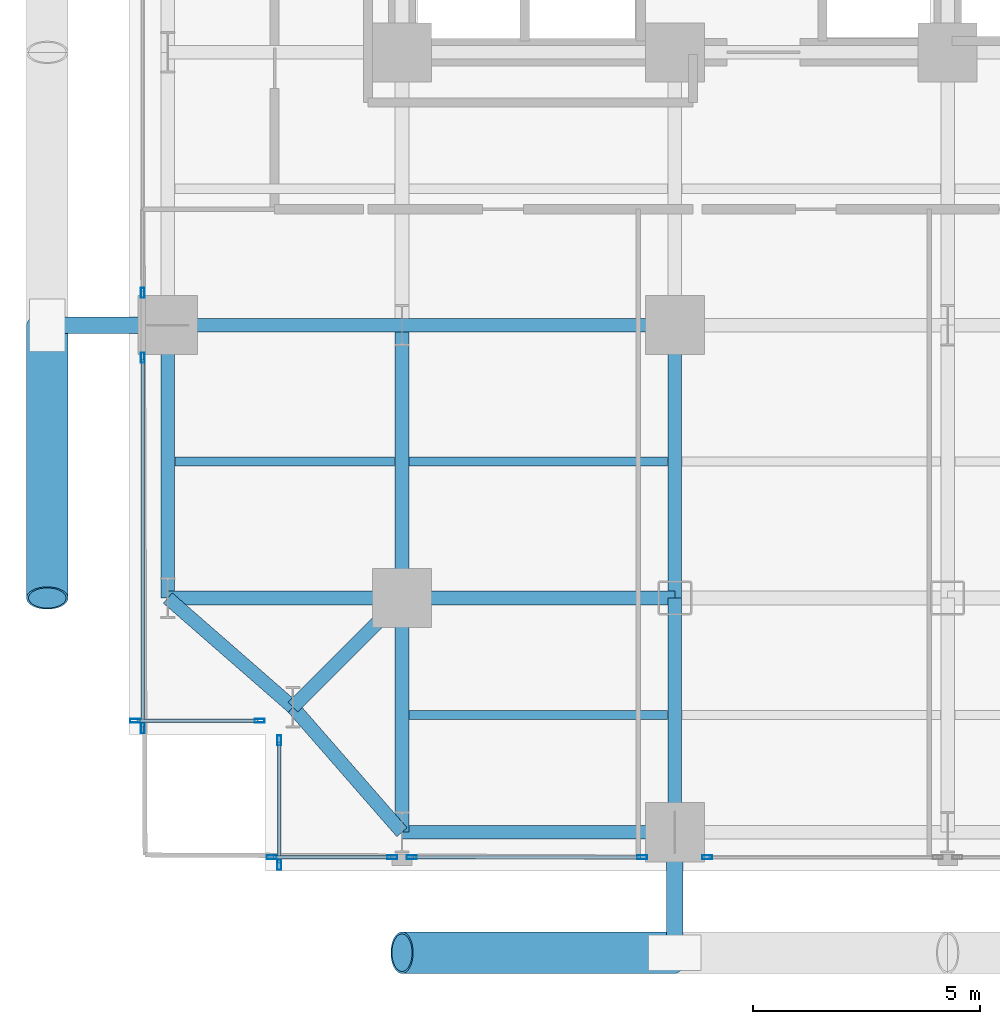
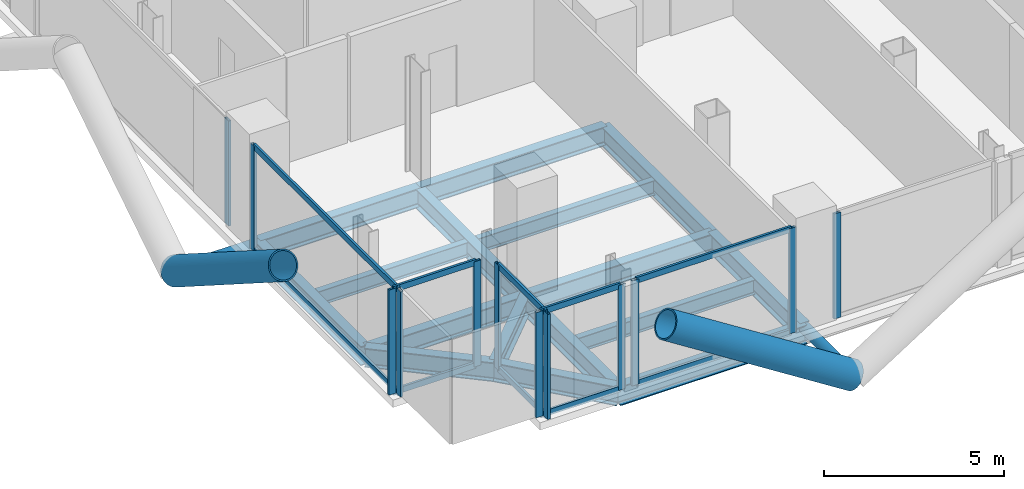
# One storey, part 2 of 27: 26 members, 16 beams, 7 elements without a shape of their own.
"""IFC4 building model written with IfcOpenShell, lengths in metres."""

from ifc_helpers import new_model, si_unit, direction, frame, origin, origin_2d, place, context, subcontext, project, spatial, hollow_rectangle, hollow_circle, i_section, extrude, material, layer, layer_set, material_profile, profile_set, type_object, element, aggregate, save


model = new_model("IFC4")

# Units and contexts
model_context = context("Model", 3, precision=1e-05, world=origin(), true_north=direction((0.0, 1.0)))
body_context = subcontext(model_context, "Body", "Model", "MODEL_VIEW")
ifc_project = project(units=[si_unit("LENGTHUNIT", "METRE"), si_unit("AREAUNIT", "SQUARE_METRE"), si_unit("VOLUMEUNIT", "CUBIC_METRE"), si_unit("PLANEANGLEUNIT", "RADIAN"), si_unit("MASSUNIT", "GRAM", prefix="KILO"), si_unit("THERMODYNAMICTEMPERATUREUNIT", "KELVIN"), si_unit("POWERUNIT", "WATT")], contexts=[model_context])

# Site, building, storey
site_placement = place(None, origin())
site = spatial("IfcSite", under=ifc_project, at=site_placement, CompositionType="ELEMENT")
building_placement = place(site_placement, origin())
building = spatial("IfcBuilding", under=site, at=building_placement, Name="Svarakhadi Broadcast Tower", CompositionType="ELEMENT")
storey_placement = place(building_placement, frame((0.0, 0.0, 90.89990234375)))
storey = spatial("IfcBuildingStorey", under=building, at=storey_placement, Name="L21", CompositionType="ELEMENT", Elevation=90.89990234375)

# Beams
ifc_material_1 = material(Name="Steel S355J2 (IS 2062 E350C)", Category="steel")
ifc_material_profile_1 = material_profile(ifc_material_1, i_section(OverallWidth=0.199951171875, OverallDepth=0.5, WebThickness=0.01025390625, FlangeThickness=0.01611328125, FilletRadius=0.02099609375, at=origin_2d()), Name="NPB 500x200x91")
ifc_profile_set_1 = profile_set([ifc_material_profile_1], Name="Steel S355J2 (IS 2062 E350C)")
beam_type_1 = type_object("IfcBeamType", Name="Beam_NPB500", PredefinedType="BEAM", material=ifc_profile_set_1)
beam_1_placement = place(storey_placement, frame((1.010009765625, 9.0, -0.5), z_axis=(1.0, 0.0, 0.0), x_axis=(0.0, 1.0, 0.0)))
element("IfcBeam", 1, at=beam_1_placement, inside=storey, type_object=beam_type_1, Name="L21 Secondary Composite Beam SB001", PredefinedType="BEAM", context=body_context, shape_type="SweptSolid", body=[
    extrude(i_section(OverallWidth=0.199951171875, OverallDepth=0.5, WebThickness=0.01025390625, FlangeThickness=0.01611328125, FilletRadius=0.02099609375, at=origin_2d()), origin(), (0.0, 0.0, 1.0), 4.830078125),
])
for number, where, z_axis, x_axis, name in (
    (2, (6.159912109375, 3.425048828125, -0.5), (1.0, 0.0, 0.0), (0.0, 1.0, 0.0), "L21 Secondary Composite Beam SB007"),
    (3, (6.159912109375, 9.0, -0.5), (1.0, 0.0, 0.0), (0.0, 1.0, 0.0), "L21 Secondary Composite Beam SB008"),
):
    element("IfcBeam", number, at=place(storey_placement, frame(where, z_axis=z_axis, x_axis=x_axis)), inside=storey, type_object=beam_type_1, Name=name, PredefinedType="BEAM", context=body_context, shape_type="SweptSolid", body=[
        extrude(i_section(OverallWidth=0.199951171875, OverallDepth=0.5, WebThickness=0.01025390625, FlangeThickness=0.01611328125, FilletRadius=0.02099609375, at=origin_2d()), origin(), (0.0, 0.0, 1.0), 5.68017578125),
    ])

# Curtain wall, members
ifc_material_2 = material(Name="Anodised Bronze Aluminium AA 6063-T6", Category="aluminium")
ifc_layer = layer(ifc_material_2, 0.219970703125)
ifc_layer_set = layer_set([ifc_layer], Name="Anodised Bronze Aluminium AA 6063-T6")
curtain_wall_type = type_object("IfcCurtainWallType", Name="CW_Sys_02", PredefinedType="NOTDEFINED", material=ifc_layer_set)
curtain_wall_1_placement = place(storey_placement, origin())
curtain_wall_1 = element("IfcCurtainWall", 4, at=curtain_wall_1_placement, inside=storey, type_object=curtain_wall_type, Name="L21 Unitised Facade Curtain Wall 01", PredefinedType="NOTDEFINED")
ifc_material_profile_2 = material_profile(ifc_material_2, hollow_rectangle(XDim=0.0849609375, YDim=0.219970703125, WallThickness=0.006103515625, at=origin_2d()), Name="ALU MULLION 220x85x6")
ifc_profile_set_2 = profile_set([ifc_material_profile_2], Name="Anodised Bronze Aluminium AA 6063-T6")
member_type_1 = type_object("IfcMemberType", Name="CW_Sys_02_Mul", PredefinedType="MULLION", material=ifc_profile_set_2)
member_1_placement = place(storey_placement, frame((2.867431640625, 3.300048828125, 0.0), z_axis=(0.0, 0.0, 1.0), x_axis=(0.0, -1.0, 0.0)))
member_1 = element("IfcMember", 5, at=member_1_placement, type_object=member_type_1, Name="CW-02 mullion 1", PredefinedType="MULLION", context=body_context, shape_type="SweptSolid", body=[
    extrude(hollow_rectangle(XDim=0.0849609375, YDim=0.219970703125, WallThickness=0.006103515625, at=origin_2d()), origin(), (0.0, 0.0, 1.0), 3.5751953125),
])
member_2_placement = place(storey_placement, frame((0.132568359375, 3.300048828125, 0.0), z_axis=(0.0, 0.0, 1.0), x_axis=(0.0, -1.0, 0.0)))
member_2 = element("IfcMember", 6, at=member_2_placement, type_object=member_type_1, Name="CW-02 mullion 2", PredefinedType="MULLION", context=body_context, shape_type="SweptSolid", body=[
    extrude(hollow_rectangle(XDim=0.0849609375, YDim=0.219970703125, WallThickness=0.006103515625, at=origin_2d()), origin(), (0.0, 0.0, 1.0), 3.5751953125),
])

curtain_wall_2_placement = place(storey_placement, origin())
curtain_wall_2 = element("IfcCurtainWall", 7, at=curtain_wall_2_placement, inside=storey, type_object=curtain_wall_type, Name="L21 West Curtain Wall 02 Bay 1", PredefinedType="NOTDEFINED")
member_3_placement = place(storey_placement, frame((0.300048828125, 3.132568359375, 0.0), z_axis=(0.0, 0.0, 1.0), x_axis=(-1.0, 0.0, 0.0)))
member_3 = element("IfcMember", 8, at=member_3_placement, type_object=member_type_1, Name="CW-02 mullion 1", PredefinedType="MULLION", context=body_context, shape_type="SweptSolid", body=[
    extrude(hollow_rectangle(XDim=0.0849609375, YDim=0.219970703125, WallThickness=0.006103515625, at=origin_2d()), origin(), (0.0, 0.0, 1.0), 3.5751953125),
])
member_4_placement = place(storey_placement, frame((0.300048828125, 11.28759765625, 0.0), z_axis=(0.0, 0.0, 1.0), x_axis=(-1.0, 0.0, 0.0)))
member_4 = element("IfcMember", 9, at=member_4_placement, type_object=member_type_1, Name="CW-02 mullion 2", PredefinedType="MULLION", context=body_context, shape_type="SweptSolid", body=[
    extrude(hollow_rectangle(XDim=0.0849609375, YDim=0.219970703125, WallThickness=0.006103515625, at=origin_2d()), origin(), (0.0, 0.0, 1.0), 3.5751953125),
])

# Curtain wall, member
curtain_wall_3_placement = place(storey_placement, origin())
curtain_wall_3 = element("IfcCurtainWall", 10, at=curtain_wall_3_placement, inside=storey, type_object=curtain_wall_type, Name="L21 West Curtain Wall 02 Bay 2", PredefinedType="NOTDEFINED")
member_5_placement = place(storey_placement, frame((0.300048828125, 12.71240234375, 0.0), z_axis=(0.0, 0.0, 1.0), x_axis=(-1.0, 0.0, 0.0)))
member_5 = element("IfcMember", 11, at=member_5_placement, type_object=member_type_1, Name="CW-02 mullion 1", PredefinedType="MULLION", context=body_context, shape_type="SweptSolid", body=[
    extrude(hollow_rectangle(XDim=0.0849609375, YDim=0.219970703125, WallThickness=0.006103515625, at=origin_2d()), origin(), (0.0, 0.0, 1.0), 3.5751953125),
])
aggregate(curtain_wall_3, [member_5])

curtain_wall_4_placement = place(storey_placement, origin())
curtain_wall_4 = element("IfcCurtainWall", 12, at=curtain_wall_4_placement, inside=storey, type_object=curtain_wall_type, Name="L21 South Curtain Wall 17 Bay 5", PredefinedType="NOTDEFINED")
member_6_placement = place(storey_placement, frame((12.71240234375, 0.300048828125, 0.0), z_axis=(0.0, 0.0, 1.0), x_axis=(0.0, -1.0, 0.0)))
member_6 = element("IfcMember", 13, at=member_6_placement, type_object=member_type_1, Name="CW-02 mullion 2", PredefinedType="MULLION", context=body_context, shape_type="SweptSolid", body=[
    extrude(hollow_rectangle(XDim=0.0849609375, YDim=0.219970703125, WallThickness=0.006103515625, at=origin_2d()), origin(), (0.0, 0.0, 1.0), 3.5751953125),
])
aggregate(curtain_wall_4, [member_6])

# Curtain wall, members
curtain_wall_5_placement = place(storey_placement, origin())
curtain_wall_5 = element("IfcCurtainWall", 14, at=curtain_wall_5_placement, inside=storey, type_object=curtain_wall_type, Name="L21 South Curtain Wall 17 Bay 6", PredefinedType="NOTDEFINED")
member_7_placement = place(storey_placement, frame((11.28759765625, 0.300048828125, 0.0), z_axis=(0.0, 0.0, 1.0), x_axis=(0.0, -1.0, 0.0)))
member_7 = element("IfcMember", 15, at=member_7_placement, type_object=member_type_1, Name="CW-02 mullion 1", PredefinedType="MULLION", context=body_context, shape_type="SweptSolid", body=[
    extrude(hollow_rectangle(XDim=0.0849609375, YDim=0.219970703125, WallThickness=0.006103515625, at=origin_2d()), origin(), (0.0, 0.0, 1.0), 3.5751953125),
])
member_8_placement = place(storey_placement, frame((6.21240234375, 0.300048828125, 0.0), z_axis=(0.0, 0.0, 1.0), x_axis=(0.0, -1.0, 0.0)))
member_8 = element("IfcMember", 16, at=member_8_placement, type_object=member_type_1, Name="CW-02 mullion 2", PredefinedType="MULLION", context=body_context, shape_type="SweptSolid", body=[
    extrude(hollow_rectangle(XDim=0.0849609375, YDim=0.219970703125, WallThickness=0.006103515625, at=origin_2d()), origin(), (0.0, 0.0, 1.0), 3.5751953125),
])

curtain_wall_6_placement = place(storey_placement, origin())
curtain_wall_6 = element("IfcCurtainWall", 17, at=curtain_wall_6_placement, inside=storey, type_object=curtain_wall_type, Name="L21 South Curtain Wall 17 Bay 7", PredefinedType="NOTDEFINED")
member_9_placement = place(storey_placement, frame((5.78759765625, 0.300048828125, 0.0), z_axis=(0.0, 0.0, 1.0), x_axis=(0.0, -1.0, 0.0)))
member_9 = element("IfcMember", 18, at=member_9_placement, type_object=member_type_1, Name="CW-02 mullion 1", PredefinedType="MULLION", context=body_context, shape_type="SweptSolid", body=[
    extrude(hollow_rectangle(XDim=0.0849609375, YDim=0.219970703125, WallThickness=0.006103515625, at=origin_2d()), origin(), (0.0, 0.0, 1.0), 3.5751953125),
])
member_10_placement = place(storey_placement, frame((3.132568359375, 0.300048828125, 0.0), z_axis=(0.0, 0.0, 1.0), x_axis=(0.0, -1.0, 0.0)))
member_10 = element("IfcMember", 19, at=member_10_placement, type_object=member_type_1, Name="CW-02 mullion 2", PredefinedType="MULLION", context=body_context, shape_type="SweptSolid", body=[
    extrude(hollow_rectangle(XDim=0.0849609375, YDim=0.219970703125, WallThickness=0.006103515625, at=origin_2d()), origin(), (0.0, 0.0, 1.0), 3.5751953125),
])

curtain_wall_7_placement = place(storey_placement, origin())
curtain_wall_7 = element("IfcCurtainWall", 20, at=curtain_wall_7_placement, inside=storey, type_object=curtain_wall_type, Name="L21 Unitised Facade Curtain Wall 18", PredefinedType="NOTDEFINED")
member_11_placement = place(storey_placement, frame((3.300048828125, 0.132568359375, 0.0), z_axis=(0.0, 0.0, 1.0), x_axis=(-1.0, 0.0, 0.0)))
member_11 = element("IfcMember", 21, at=member_11_placement, type_object=member_type_1, Name="CW-02 mullion 1", PredefinedType="MULLION", context=body_context, shape_type="SweptSolid", body=[
    extrude(hollow_rectangle(XDim=0.0849609375, YDim=0.219970703125, WallThickness=0.006103515625, at=origin_2d()), origin(), (0.0, 0.0, 1.0), 3.5751953125),
])
member_12_placement = place(storey_placement, frame((3.300048828125, 2.867431640625, 0.0), z_axis=(0.0, 0.0, 1.0), x_axis=(-1.0, 0.0, 0.0)))
member_12 = element("IfcMember", 22, at=member_12_placement, type_object=member_type_1, Name="CW-02 mullion 2", PredefinedType="MULLION", context=body_context, shape_type="SweptSolid", body=[
    extrude(hollow_rectangle(XDim=0.0849609375, YDim=0.219970703125, WallThickness=0.006103515625, at=origin_2d()), origin(), (0.0, 0.0, 1.0), 3.5751953125),
])

# Member
ifc_material_profile_3 = material_profile(ifc_material_2, hollow_rectangle(XDim=0.074951171875, YDim=0.199951171875, WallThickness=0.0048828125, at=origin_2d()), Name="ALU TRANSOM 200x75x5")
ifc_profile_set_3 = profile_set([ifc_material_profile_3], Name="Anodised Bronze Aluminium AA 6063-T6")
member_type_2 = type_object("IfcMemberType", Name="CW_Sys_02_Trn", PredefinedType="USERDEFINED", material=ifc_profile_set_3)
member_13_placement = place(storey_placement, frame((2.824951171875, 3.300048828125, 0.03759765625), z_axis=(-1.0, 0.0, 0.0), x_axis=(0.0, -1.0, 0.0)))
member_13 = element("IfcMember", 23, at=member_13_placement, type_object=member_type_2, Name="CW-02 transom 1.1", ObjectType="TRANSOM", PredefinedType="USERDEFINED", context=body_context, shape_type="SweptSolid", body=[
    extrude(hollow_rectangle(XDim=0.074951171875, YDim=0.199951171875, WallThickness=0.0048828125, at=origin_2d()), origin(), (0.0, 0.0, 1.0), 2.64990234375),
])

member_14_placement = place(storey_placement, frame((2.824951171875, 3.300048828125, 3.53759765625), z_axis=(-1.0, 0.0, 0.0), x_axis=(0.0, -1.0, 0.0)))
member_14 = element("IfcMember", 24, at=member_14_placement, type_object=member_type_2, Name="CW-02 transom 1.2", ObjectType="TRANSOM", PredefinedType="USERDEFINED", context=body_context, shape_type="SweptSolid", body=[
    extrude(hollow_rectangle(XDim=0.074951171875, YDim=0.199951171875, WallThickness=0.0048828125, at=origin_2d()), origin(), (0.0, 0.0, 1.0), 2.64990234375),
])

aggregate(curtain_wall_1, [member_1, member_2, member_13, member_14])

member_15_placement = place(storey_placement, frame((0.300048828125, 3.175048828125, 0.03759765625), z_axis=(0.0, 1.0, 0.0), x_axis=(-1.0, 0.0, 0.0)))
member_15 = element("IfcMember", 25, at=member_15_placement, type_object=member_type_2, Name="CW-02 transom 1.1", ObjectType="TRANSOM", PredefinedType="USERDEFINED", context=body_context, shape_type="SweptSolid", body=[
    extrude(hollow_rectangle(XDim=0.074951171875, YDim=0.199951171875, WallThickness=0.0048828125, at=origin_2d()), origin(), (0.0, 0.0, 1.0), 8.070068359375),
])

member_16_placement = place(storey_placement, frame((0.300048828125, 3.175048828125, 3.53759765625), z_axis=(0.0, 1.0, 0.0), x_axis=(-1.0, 0.0, 0.0)))
member_16 = element("IfcMember", 26, at=member_16_placement, type_object=member_type_2, Name="CW-02 transom 1.2", ObjectType="TRANSOM", PredefinedType="USERDEFINED", context=body_context, shape_type="SweptSolid", body=[
    extrude(hollow_rectangle(XDim=0.074951171875, YDim=0.199951171875, WallThickness=0.0048828125, at=origin_2d()), origin(), (0.0, 0.0, 1.0), 8.070068359375),
])

aggregate(curtain_wall_2, [member_3, member_4, member_15, member_16])

member_17_placement = place(storey_placement, frame((11.2451171875, 0.300048828125, 0.03759765625), z_axis=(-1.0, 0.0, 0.0), x_axis=(0.0, -1.0, 0.0)))
member_17 = element("IfcMember", 27, at=member_17_placement, type_object=member_type_2, Name="CW-02 transom 1.1", ObjectType="TRANSOM", PredefinedType="USERDEFINED", context=body_context, shape_type="SweptSolid", body=[
    extrude(hollow_rectangle(XDim=0.074951171875, YDim=0.199951171875, WallThickness=0.0048828125, at=origin_2d()), origin(), (0.0, 0.0, 1.0), 4.990234375),
])

member_18_placement = place(storey_placement, frame((11.2451171875, 0.300048828125, 3.53759765625), z_axis=(-1.0, 0.0, 0.0), x_axis=(0.0, -1.0, 0.0)))
member_18 = element("IfcMember", 28, at=member_18_placement, type_object=member_type_2, Name="CW-02 transom 1.2", ObjectType="TRANSOM", PredefinedType="USERDEFINED", context=body_context, shape_type="SweptSolid", body=[
    extrude(hollow_rectangle(XDim=0.074951171875, YDim=0.199951171875, WallThickness=0.0048828125, at=origin_2d()), origin(), (0.0, 0.0, 1.0), 4.990234375),
])

aggregate(curtain_wall_5, [member_7, member_8, member_17, member_18])

member_19_placement = place(storey_placement, frame((5.7451171875, 0.300048828125, 0.03759765625), z_axis=(-1.0, 0.0, 0.0), x_axis=(0.0, -1.0, 0.0)))
member_19 = element("IfcMember", 29, at=member_19_placement, type_object=member_type_2, Name="CW-02 transom 1.1", ObjectType="TRANSOM", PredefinedType="USERDEFINED", context=body_context, shape_type="SweptSolid", body=[
    extrude(hollow_rectangle(XDim=0.074951171875, YDim=0.199951171875, WallThickness=0.0048828125, at=origin_2d()), origin(), (0.0, 0.0, 1.0), 2.570068359375),
])

member_20_placement = place(storey_placement, frame((5.7451171875, 0.300048828125, 3.53759765625), z_axis=(-1.0, 0.0, 0.0), x_axis=(0.0, -1.0, 0.0)))
member_20 = element("IfcMember", 30, at=member_20_placement, type_object=member_type_2, Name="CW-02 transom 1.2", ObjectType="TRANSOM", PredefinedType="USERDEFINED", context=body_context, shape_type="SweptSolid", body=[
    extrude(hollow_rectangle(XDim=0.074951171875, YDim=0.199951171875, WallThickness=0.0048828125, at=origin_2d()), origin(), (0.0, 0.0, 1.0), 2.570068359375),
])

aggregate(curtain_wall_6, [member_9, member_10, member_19, member_20])

member_21_placement = place(storey_placement, frame((3.300048828125, 0.175048828125, 0.03759765625), z_axis=(0.0, 1.0, 0.0), x_axis=(-1.0, 0.0, 0.0)))
member_21 = element("IfcMember", 31, at=member_21_placement, type_object=member_type_2, Name="CW-02 transom 1.1", ObjectType="TRANSOM", PredefinedType="USERDEFINED", context=body_context, shape_type="SweptSolid", body=[
    extrude(hollow_rectangle(XDim=0.074951171875, YDim=0.199951171875, WallThickness=0.0048828125, at=origin_2d()), origin(), (0.0, 0.0, 1.0), 2.64990234375),
])

member_22_placement = place(storey_placement, frame((3.300048828125, 0.175048828125, 3.53759765625), z_axis=(0.0, 1.0, 0.0), x_axis=(-1.0, 0.0, 0.0)))
member_22 = element("IfcMember", 32, at=member_22_placement, type_object=member_type_2, Name="CW-02 transom 1.2", ObjectType="TRANSOM", PredefinedType="USERDEFINED", context=body_context, shape_type="SweptSolid", body=[
    extrude(hollow_rectangle(XDim=0.074951171875, YDim=0.199951171875, WallThickness=0.0048828125, at=origin_2d()), origin(), (0.0, 0.0, 1.0), 2.64990234375),
])

aggregate(curtain_wall_7, [member_11, member_12, member_21, member_22])

# Members
ifc_material_3 = material(Name="Steel S460ML (IS 2062 E450BR)", Category="steel")
ifc_material_profile_4 = material_profile(ifc_material_3, hollow_circle(Radius=0.45703125, WallThickness=0.044921875, at=origin_2d()), Name="CHS 914x45")
ifc_profile_set_4 = profile_set([ifc_material_profile_4], Name="Steel S460ML (IS 2062 E450BR)")
member_type_3 = type_object("IfcMemberType", Name="Exo_Brace_CHS914", PredefinedType="BRACE", material=ifc_profile_set_4)
for number, where, z_axis, x_axis, name in (
    (33, (12.0, -1.800048828125, -0.427734375), (-0.843230308573, 0.0, 0.53755245949), (0.0, -1.0, 0.0), "L21 Exposed Bronze Exoskeleton Diagonal S01"),
    (34, (-1.800048828125, 12.0, -0.427734375), (0.0, -0.843230308573, 0.53755245949), (1.0, 0.0, 0.0), "L21 Exposed Bronze Exoskeleton Diagonal W06"),
):
    element("IfcMember", number, at=place(storey_placement, frame(where, z_axis=z_axis, x_axis=x_axis)), inside=storey, type_object=member_type_3, Name=name, PredefinedType="BRACE", context=body_context, shape_type="SweptSolid", body=[
        extrude(hollow_circle(Radius=0.45703125, WallThickness=0.044921875, at=origin_2d()), origin(), (0.0, 0.0, 1.0), 7.115478515625),
    ])
ifc_material_profile_5 = material_profile(ifc_material_3, hollow_circle(Radius=0.177734375, WallThickness=0.02001953125, at=origin_2d()), Name="CHS 355.6x20")
ifc_profile_set_5 = profile_set([ifc_material_profile_5], Name="Steel S460ML (IS 2062 E450BR)")
member_type_4 = type_object("IfcMemberType", Name="Exo_Radial_Strut_Z1", PredefinedType="STRUT", material=ifc_profile_set_5)
for number, where, z_axis, x_axis, name in (
    (35, (12.0, -1.800048828125, -0.427734375), (0.0, 1.0, 0.0), (-1.0, 0.0, 0.0), "L21 Exoskeleton Radial Tie Strut S01"),
    (36, (-1.800048828125, 12.0, -0.427734375), (1.0, 0.0, 0.0), (0.0, 1.0, 0.0), "L21 Exoskeleton Radial Tie Strut W04"),
):
    element("IfcMember", number, at=place(storey_placement, frame(where, z_axis=z_axis, x_axis=x_axis)), inside=storey, type_object=member_type_4, Name=name, PredefinedType="STRUT", context=body_context, shape_type="SweptSolid", body=[
        extrude(hollow_circle(Radius=0.177734375, WallThickness=0.02001953125, at=origin_2d()), origin(), (0.0, 0.0, 1.0), 2.650146484375),
    ])

# Beams
ifc_material_profile_6 = material_profile(ifc_material_1, i_section(OverallWidth=0.300048828125, OverallDepth=0.64990234375, WebThickness=0.01611328125, FlangeThickness=0.031005859375, FilletRadius=0.027099609375, at=origin_2d()), Name="WPB 650x300x225")
ifc_profile_set_6 = profile_set([ifc_material_profile_6], Name="Steel S355J2 (IS 2062 E350C)")
beam_type_2 = type_object("IfcBeamType", Name="Girder_WPB650", PredefinedType="USERDEFINED", material=ifc_profile_set_6)
beam_2_placement = place(storey_placement, frame((3.60009765625, 3.60009765625, -0.574951171875), z_axis=(0.707106781187, 0.707106781187, 0.0), x_axis=(-0.707106781187, 0.707106781187, 0.0)))
element("IfcBeam", 37, at=beam_2_placement, inside=storey, type_object=beam_type_2, Name="L21 Corner Tie Girder G001", ObjectType="GIRDER", PredefinedType="USERDEFINED", context=body_context, shape_type="SweptSolid", body=[
    extrude(i_section(OverallWidth=0.300048828125, OverallDepth=0.64990234375, WebThickness=0.01611328125, FlangeThickness=0.031005859375, FilletRadius=0.027099609375, at=origin_2d()), origin(), (0.0, 0.0, 1.0), 3.39404296875),
])
for number, where, z_axis, x_axis, name in (
    (38, (3.60009765625, 3.60009765625, -0.574951171875), (-0.753437912176, 0.657519058655, 0.0), (-0.657519058655, -0.753437912176, 0.0), "L21 Corner Tie Girder G002"),
    (39, (3.60009765625, 3.60009765625, -0.574951171875), (0.657519058655, -0.753437912176, 0.0), (0.753437912176, 0.657519058655, 0.0), "L21 Corner Tie Girder G003"),
):
    element("IfcBeam", number, at=place(storey_placement, frame(where, z_axis=z_axis, x_axis=x_axis)), inside=storey, type_object=beam_type_2, Name=name, ObjectType="GIRDER", PredefinedType="USERDEFINED", context=body_context, shape_type="SweptSolid", body=[
        extrude(i_section(OverallWidth=0.300048828125, OverallDepth=0.64990234375, WebThickness=0.01611328125, FlangeThickness=0.031005859375, FilletRadius=0.027099609375, at=origin_2d()), origin(), (0.0, 0.0, 1.0), 3.64990234375),
    ])
beam_3_placement = place(storey_placement, frame((6.0, 0.85009765625, -0.574951171875), z_axis=(1.0, 0.0, 0.0), x_axis=(0.0, 1.0, 0.0)))
element("IfcBeam", 40, at=beam_3_placement, inside=storey, type_object=beam_type_2, Name="L21 Primary E-W Girder G004", ObjectType="GIRDER", PredefinedType="USERDEFINED", context=body_context, shape_type="SweptSolid", body=[
    extrude(i_section(OverallWidth=0.300048828125, OverallDepth=0.64990234375, WebThickness=0.01611328125, FlangeThickness=0.031005859375, FilletRadius=0.027099609375, at=origin_2d()), origin(), (0.0, 0.0, 1.0), 6.0),
])
beam_4_placement = place(storey_placement, frame((0.85009765625, 6.0, -0.574951171875), z_axis=(1.0, 0.0, 0.0), x_axis=(0.0, 1.0, 0.0)))
element("IfcBeam", 41, at=beam_4_placement, inside=storey, type_object=beam_type_2, Name="L21 Primary E-W Girder G011", ObjectType="GIRDER", PredefinedType="USERDEFINED", context=body_context, shape_type="SweptSolid", body=[
    extrude(i_section(OverallWidth=0.300048828125, OverallDepth=0.64990234375, WebThickness=0.01611328125, FlangeThickness=0.031005859375, FilletRadius=0.027099609375, at=origin_2d()), origin(), (0.0, 0.0, 1.0), 5.14990234375),
])
beam_5_placement = place(storey_placement, frame((6.0, 6.0, -0.574951171875), z_axis=(1.0, 0.0, 0.0), x_axis=(0.0, 1.0, 0.0)))
element("IfcBeam", 42, at=beam_5_placement, inside=storey, type_object=beam_type_2, Name="L21 Primary E-W Girder G012", ObjectType="GIRDER", PredefinedType="USERDEFINED", context=body_context, shape_type="SweptSolid", body=[
    extrude(i_section(OverallWidth=0.300048828125, OverallDepth=0.64990234375, WebThickness=0.01611328125, FlangeThickness=0.031005859375, FilletRadius=0.027099609375, at=origin_2d()), origin(), (0.0, 0.0, 1.0), 6.0),
])
beam_6_placement = place(storey_placement, frame((0.85009765625, 12.0, -0.574951171875), z_axis=(1.0, 0.0, 0.0), x_axis=(0.0, 1.0, 0.0)))
element("IfcBeam", 43, at=beam_6_placement, inside=storey, type_object=beam_type_2, Name="L21 Primary E-W Girder G019", ObjectType="GIRDER", PredefinedType="USERDEFINED", context=body_context, shape_type="SweptSolid", body=[
    extrude(i_section(OverallWidth=0.300048828125, OverallDepth=0.64990234375, WebThickness=0.01611328125, FlangeThickness=0.031005859375, FilletRadius=0.027099609375, at=origin_2d()), origin(), (0.0, 0.0, 1.0), 5.14990234375),
])
for number, where, z_axis, x_axis, name in (
    (44, (6.0, 12.0, -0.574951171875), (1.0, 0.0, 0.0), (0.0, 1.0, 0.0), "L21 Primary E-W Girder G020"),
    (45, (0.85009765625, 6.0, -0.574951171875), (0.0, 1.0, 0.0), (-1.0, 0.0, 0.0), "L21 Primary N-S Girder G045"),
):
    element("IfcBeam", number, at=place(storey_placement, frame(where, z_axis=z_axis, x_axis=x_axis)), inside=storey, type_object=beam_type_2, Name=name, ObjectType="GIRDER", PredefinedType="USERDEFINED", context=body_context, shape_type="SweptSolid", body=[
        extrude(i_section(OverallWidth=0.300048828125, OverallDepth=0.64990234375, WebThickness=0.01611328125, FlangeThickness=0.031005859375, FilletRadius=0.027099609375, at=origin_2d()), origin(), (0.0, 0.0, 1.0), 6.0),
    ])
beam_7_placement = place(storey_placement, frame((6.0, 0.85009765625, -0.574951171875), z_axis=(0.0, 1.0, 0.0), x_axis=(-1.0, 0.0, 0.0)))
element("IfcBeam", 46, at=beam_7_placement, inside=storey, type_object=beam_type_2, Name="L21 Primary N-S Girder G051", ObjectType="GIRDER", PredefinedType="USERDEFINED", context=body_context, shape_type="SweptSolid", body=[
    extrude(i_section(OverallWidth=0.300048828125, OverallDepth=0.64990234375, WebThickness=0.01611328125, FlangeThickness=0.031005859375, FilletRadius=0.027099609375, at=origin_2d()), origin(), (0.0, 0.0, 1.0), 5.14990234375),
])
beam_8_placement = place(storey_placement, frame((6.0, 6.0, -0.574951171875), z_axis=(0.0, 1.0, 0.0), x_axis=(-1.0, 0.0, 0.0)))
element("IfcBeam", 47, at=beam_8_placement, inside=storey, type_object=beam_type_2, Name="L21 Primary N-S Girder G052", ObjectType="GIRDER", PredefinedType="USERDEFINED", context=body_context, shape_type="SweptSolid", body=[
    extrude(i_section(OverallWidth=0.300048828125, OverallDepth=0.64990234375, WebThickness=0.01611328125, FlangeThickness=0.031005859375, FilletRadius=0.027099609375, at=origin_2d()), origin(), (0.0, 0.0, 1.0), 6.0),
])
beam_9_placement = place(storey_placement, frame((12.0, 0.85009765625, -0.574951171875), z_axis=(0.0, 1.0, 0.0), x_axis=(-1.0, 0.0, 0.0)))
element("IfcBeam", 48, at=beam_9_placement, inside=storey, type_object=beam_type_2, Name="L21 Primary N-S Girder G058", ObjectType="GIRDER", PredefinedType="USERDEFINED", context=body_context, shape_type="SweptSolid", body=[
    extrude(i_section(OverallWidth=0.300048828125, OverallDepth=0.64990234375, WebThickness=0.01611328125, FlangeThickness=0.031005859375, FilletRadius=0.027099609375, at=origin_2d()), origin(), (0.0, 0.0, 1.0), 5.14990234375),
])
beam_10_placement = place(storey_placement, frame((12.0, 6.0, -0.574951171875), z_axis=(0.0, 1.0, 0.0), x_axis=(-1.0, 0.0, 0.0)))
element("IfcBeam", 49, at=beam_10_placement, inside=storey, type_object=beam_type_2, Name="L21 Primary N-S Girder G059", ObjectType="GIRDER", PredefinedType="USERDEFINED", context=body_context, shape_type="SweptSolid", body=[
    extrude(i_section(OverallWidth=0.300048828125, OverallDepth=0.64990234375, WebThickness=0.01611328125, FlangeThickness=0.031005859375, FilletRadius=0.027099609375, at=origin_2d()), origin(), (0.0, 0.0, 1.0), 6.0),
])

save(model, "model.ifc")
